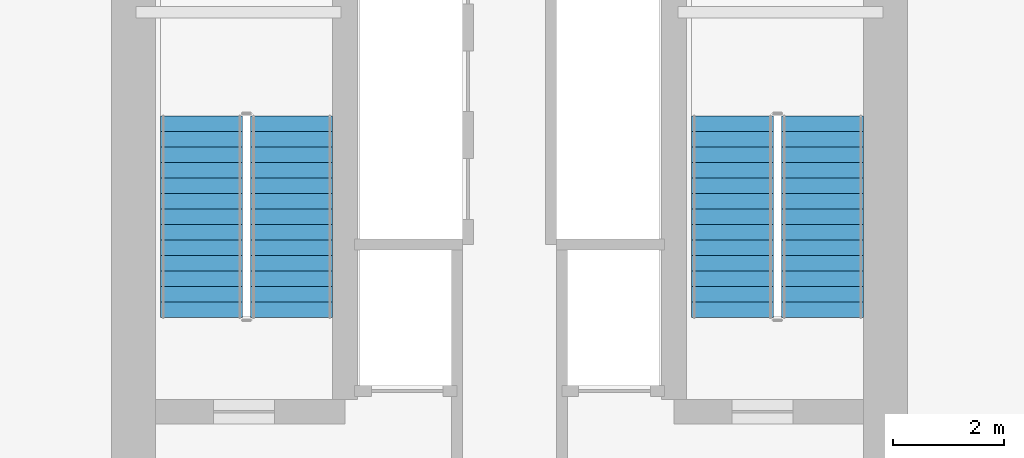
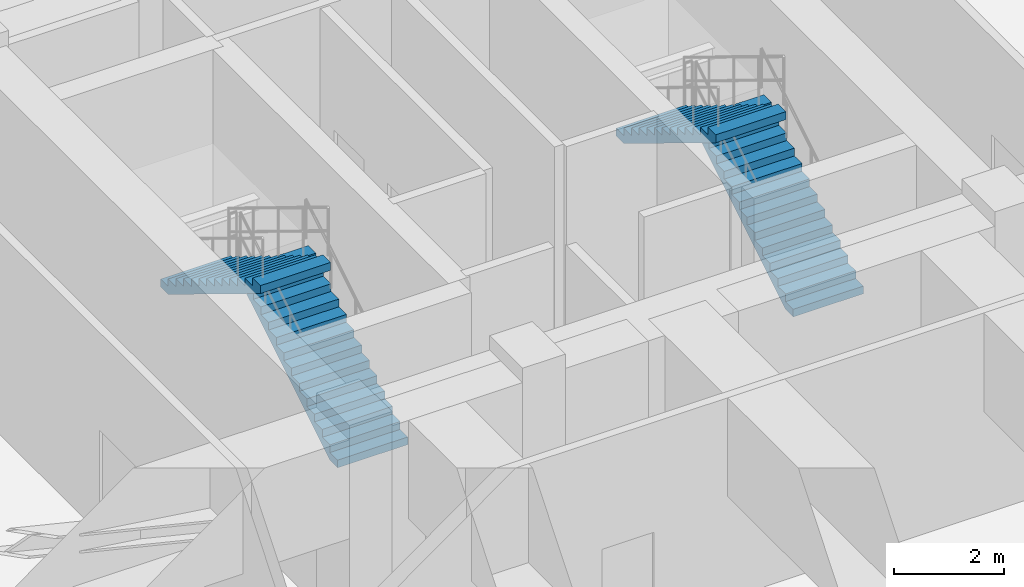
# One storey, part 38 of 41: 4 stair flights, 2 elements without a shape of their own.
"""IFC4 building model written with IfcOpenShell, lengths in metres."""

from ifc_helpers import new_model, si_unit, direction, frame, origin, place, context, subcontext, project, spatial, polyline, outline, extrude, material, type_object, element, aggregate, save


model = new_model("IFC4")

# Units and contexts
model_context = context("Model", 3, precision=1e-05, world=origin(), true_north=direction((0.0, 1.0)))
body_context = subcontext(model_context, "Body", "Model", "MODEL_VIEW")
ifc_project = project(units=[si_unit("LENGTHUNIT", "METRE"), si_unit("AREAUNIT", "SQUARE_METRE"), si_unit("VOLUMEUNIT", "CUBIC_METRE"), si_unit("PLANEANGLEUNIT", "RADIAN"), si_unit("MASSUNIT", "GRAM", prefix="KILO")], contexts=[model_context])

# Site, building, storey
site_placement = place(None, origin())
site = spatial("IfcSite", under=ifc_project, at=site_placement, CompositionType="ELEMENT")
building_placement = place(site_placement, origin())
building = spatial("IfcBuilding", under=site, at=building_placement, Name="Veraguas Prism Commons", CompositionType="ELEMENT")
storey_placement = place(building_placement, frame((0.0, 0.0, 80.35009765625)))
storey = spatial("IfcBuildingStorey", under=building, at=storey_placement, Name="L22", CompositionType="ELEMENT", Elevation=80.35009765625)

# Stair, stair flights
ifc_material = material(Name="Precast concrete C45/55", Category="concrete")
stair_type = type_object("IfcStairType", Name="Dogleg Core Stair 1480W 28R 01", PredefinedType="HALF_TURN_STAIR", material=ifc_material)
stair_1_placement = place(storey_placement, origin())
stair_1 = element("IfcStair", 1, at=stair_1_placement, inside=storey, type_object=stair_type, Name="Protected Exit Stair ST-01 L22", PredefinedType="HALF_TURN_STAIR")
stair_flight_type = type_object("IfcStairFlightType", Name="Precast Stair Flight 1480W 14R 01", PredefinedType="STRAIGHT", material=ifc_material)
stair_flight_1_placement = place(storey_placement, frame((20.06005859375, 21.280029296875, 0.0), z_axis=(0.0, 0.0, 1.0), x_axis=(0.0, 1.0, 0.0)))
stair_flight_1 = element("IfcStairFlight", 2, at=stair_flight_1_placement, type_object=stair_flight_type, Name="ST-01 Flight 1", NumberOfRisers=14, NumberOfTreads=13, PredefinedType="STRAIGHT", RiserHeight=0.171428571, TreadLength=0.28, context=body_context, shape_type="SweptSolid", body=[
    extrude(outline(polyline([(0.0, 0.0), (0.0, 0.17138671875), (0.280029296875, 0.17138671875), (0.280029296875, 0.3427734375), (0.56005859375, 0.3427734375), (0.56005859375, 0.514404296875), (0.840087890625, 0.514404296875), (0.840087890625, 0.685791015625), (1.1201171875, 0.685791015625), (1.1201171875, 0.857177734375), (1.39990234375, 0.857177734375), (1.39990234375, 1.028564453125), (1.679931640625, 1.028564453125), (1.679931640625, 1.199951171875), (1.9599609375, 1.199951171875), (1.9599609375, 1.371337890625), (2.239990234375, 1.371337890625), (2.239990234375, 1.54296875), (2.52001953125, 1.54296875), (2.52001953125, 1.71435546875), (2.800048828125, 1.71435546875), (2.800048828125, 1.8857421875), (3.080078125, 1.8857421875), (3.080078125, 2.05712890625), (3.360107421875, 2.05712890625), (3.360107421875, 2.228515625), (3.639892578125, 2.228515625), (3.639892578125, 2.39990234375), (3.639892578125, 2.052734375), (0.287109375, 0.0), (0.0, 0.0)])), frame((0.0, 0.739990234375, 0.0), z_axis=(0.0, -1.0, 0.0), x_axis=(1.0, 0.0, 0.0)), (0.0, 0.0, 1.0), 1.47998046875),
])
stair_flight_2_placement = place(storey_placement, frame((18.429931640625, 24.919921875, 2.39990234375), z_axis=(0.0, 0.0, 1.0), x_axis=(0.0, -1.0, 0.0)))
stair_flight_2 = element("IfcStairFlight", 3, at=stair_flight_2_placement, type_object=stair_flight_type, Name="ST-01 Flight 2", NumberOfRisers=14, NumberOfTreads=13, PredefinedType="STRAIGHT", RiserHeight=0.171428571, TreadLength=0.28, context=body_context, shape_type="SweptSolid", body=[
    extrude(outline(polyline([(0.0, 0.0), (0.0, 0.17138671875), (0.280029296875, 0.17138671875), (0.280029296875, 0.3427734375), (0.56005859375, 0.3427734375), (0.56005859375, 0.514404296875), (0.840087890625, 0.514404296875), (0.840087890625, 0.685791015625), (1.1201171875, 0.685791015625), (1.1201171875, 0.857177734375), (1.39990234375, 0.857177734375), (1.39990234375, 1.028564453125), (1.679931640625, 1.028564453125), (1.679931640625, 1.199951171875), (1.9599609375, 1.199951171875), (1.9599609375, 1.371337890625), (2.239990234375, 1.371337890625), (2.239990234375, 1.54296875), (2.52001953125, 1.54296875), (2.52001953125, 1.71435546875), (2.800048828125, 1.71435546875), (2.800048828125, 1.8857421875), (3.080078125, 1.8857421875), (3.080078125, 2.05712890625), (3.360107421875, 2.05712890625), (3.360107421875, 2.228515625), (3.639892578125, 2.228515625), (3.639892578125, 2.39990234375), (3.639892578125, 2.052734375), (0.287109375, 0.0), (0.0, 0.0)])), frame((0.0, 0.739990234375, 0.0), z_axis=(0.0, -1.0, 0.0), x_axis=(1.0, 0.0, 0.0)), (0.0, 0.0, 1.0), 1.47998046875),
])
aggregate(stair_1, [stair_flight_1, stair_flight_2])

stair_2_placement = place(storey_placement, origin())
stair_2 = element("IfcStair", 4, at=stair_2_placement, inside=storey, type_object=stair_type, Name="Protected Exit Stair ST-02 L22", PredefinedType="HALF_TURN_STAIR")
stair_flight_3_placement = place(storey_placement, frame((29.659912109375, 21.280029296875, 0.0), z_axis=(0.0, 0.0, 1.0), x_axis=(0.0, 1.0, 0.0)))
stair_flight_3 = element("IfcStairFlight", 5, at=stair_flight_3_placement, type_object=stair_flight_type, Name="ST-01 Flight 1", NumberOfRisers=14, NumberOfTreads=13, PredefinedType="STRAIGHT", RiserHeight=0.171428571, TreadLength=0.28, context=body_context, shape_type="SweptSolid", body=[
    extrude(outline(polyline([(0.0, 0.0), (0.0, 0.17138671875), (0.280029296875, 0.17138671875), (0.280029296875, 0.3427734375), (0.56005859375, 0.3427734375), (0.56005859375, 0.514404296875), (0.840087890625, 0.514404296875), (0.840087890625, 0.685791015625), (1.1201171875, 0.685791015625), (1.1201171875, 0.857177734375), (1.39990234375, 0.857177734375), (1.39990234375, 1.028564453125), (1.679931640625, 1.028564453125), (1.679931640625, 1.199951171875), (1.9599609375, 1.199951171875), (1.9599609375, 1.371337890625), (2.239990234375, 1.371337890625), (2.239990234375, 1.54296875), (2.52001953125, 1.54296875), (2.52001953125, 1.71435546875), (2.800048828125, 1.71435546875), (2.800048828125, 1.8857421875), (3.080078125, 1.8857421875), (3.080078125, 2.05712890625), (3.360107421875, 2.05712890625), (3.360107421875, 2.228515625), (3.639892578125, 2.228515625), (3.639892578125, 2.39990234375), (3.639892578125, 2.052734375), (0.287109375, 0.0), (0.0, 0.0)])), frame((0.0, 0.739990234375, 0.0), z_axis=(0.0, -1.0, 0.0), x_axis=(1.0, 0.0, 0.0)), (0.0, 0.0, 1.0), 1.47998046875),
])
stair_flight_4_placement = place(storey_placement, frame((28.030029296875, 24.919921875, 2.39990234375), z_axis=(0.0, 0.0, 1.0), x_axis=(0.0, -1.0, 0.0)))
stair_flight_4 = element("IfcStairFlight", 6, at=stair_flight_4_placement, type_object=stair_flight_type, Name="ST-01 Flight 2", NumberOfRisers=14, NumberOfTreads=13, PredefinedType="STRAIGHT", RiserHeight=0.171428571, TreadLength=0.28, context=body_context, shape_type="SweptSolid", body=[
    extrude(outline(polyline([(0.0, 0.0), (0.0, 0.17138671875), (0.280029296875, 0.17138671875), (0.280029296875, 0.3427734375), (0.56005859375, 0.3427734375), (0.56005859375, 0.514404296875), (0.840087890625, 0.514404296875), (0.840087890625, 0.685791015625), (1.1201171875, 0.685791015625), (1.1201171875, 0.857177734375), (1.39990234375, 0.857177734375), (1.39990234375, 1.028564453125), (1.679931640625, 1.028564453125), (1.679931640625, 1.199951171875), (1.9599609375, 1.199951171875), (1.9599609375, 1.371337890625), (2.239990234375, 1.371337890625), (2.239990234375, 1.54296875), (2.52001953125, 1.54296875), (2.52001953125, 1.71435546875), (2.800048828125, 1.71435546875), (2.800048828125, 1.8857421875), (3.080078125, 1.8857421875), (3.080078125, 2.05712890625), (3.360107421875, 2.05712890625), (3.360107421875, 2.228515625), (3.639892578125, 2.228515625), (3.639892578125, 2.39990234375), (3.639892578125, 2.052734375), (0.287109375, 0.0), (0.0, 0.0)])), frame((0.0, 0.739990234375, 0.0), z_axis=(0.0, -1.0, 0.0), x_axis=(1.0, 0.0, 0.0)), (0.0, 0.0, 1.0), 1.47998046875),
])
aggregate(stair_2, [stair_flight_3, stair_flight_4])

save(model, "model.ifc")
